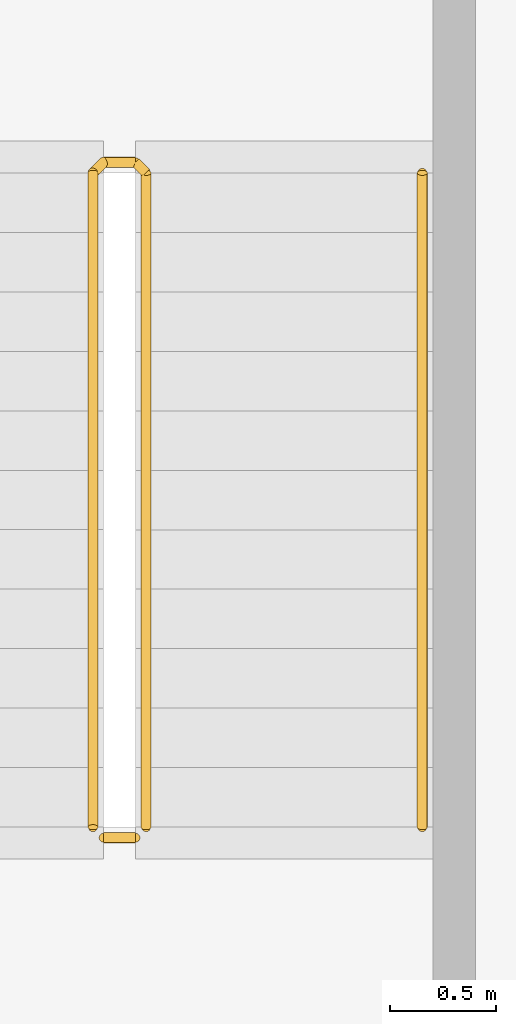
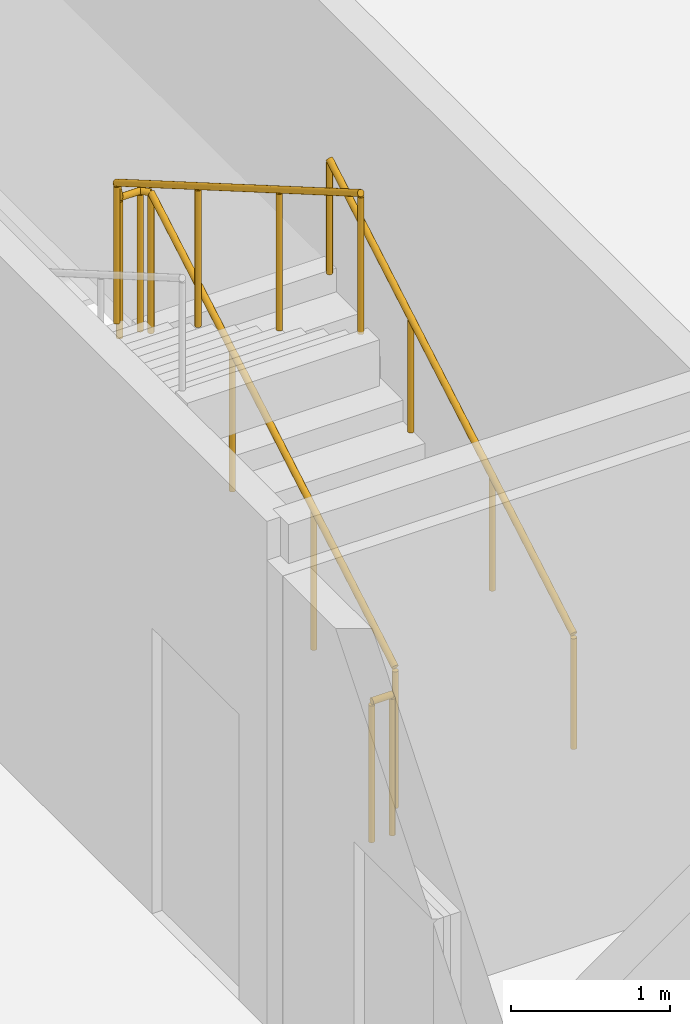
# One storey, part 18 of 19: 3 railings.
"""IFC4 building model written with IfcOpenShell, lengths in metres."""

from ifc_helpers import new_model, si_unit, direction, frame, origin, origin_2d, place, context, subcontext, project, spatial, circle, extrude, material, type_object, element, save


model = new_model("IFC4")

# Units and contexts
model_context = context("Model", 3, precision=1e-05, world=origin(), true_north=direction((0.0, 1.0)))
body_context = subcontext(model_context, "Body", "Model", "MODEL_VIEW")
ifc_project = project(units=[si_unit("LENGTHUNIT", "METRE"), si_unit("AREAUNIT", "SQUARE_METRE"), si_unit("VOLUMEUNIT", "CUBIC_METRE"), si_unit("PLANEANGLEUNIT", "RADIAN"), si_unit("MASSUNIT", "GRAM", prefix="KILO")], contexts=[model_context])

# Site, building, storey
site_placement = place(None, origin())
site = spatial("IfcSite", under=ifc_project, at=site_placement, CompositionType="ELEMENT")
building_placement = place(site_placement, origin())
building = spatial("IfcBuilding", under=site, at=building_placement, Name="Kheshtan School and Residences Tower", CompositionType="ELEMENT")
storey_placement = place(building_placement, frame((0.0, 0.0, 350.0)))
storey = spatial("IfcBuildingStorey", under=building, at=storey_placement, Name="L82", CompositionType="ELEMENT", Elevation=350.0)

# Railings
ifc_material_1 = material(Name="Stainless steel balustrade", Category="steel")
railing_type_1 = type_object("IfcRailingType", Name="Stair guard 1100", PredefinedType="GUARDRAIL", material=ifc_material_1)
railing_1_placement = place(storey_placement, frame((35.0, 80.89990234375, 0.16259765625)))
element("IfcRailing", 1, at=railing_1_placement, inside=storey, type_object=railing_type_1, Name="L82 ST3 stair guard 1", PredefinedType="GUARDRAIL", context=body_context, shape_type="SweptSolid", body=[
    extrude(circle(Radius=0.02392578125, at=origin_2d()), frame((0.0, 0.0, 1.076171875), z_axis=(0.0, 0.864920483161, 0.501908913857), x_axis=(-1.0, 0.0, 0.0)), (0.0, 0.0, 1.0), 3.56103515625),
    extrude(circle(Radius=0.02392578125, at=origin_2d()), frame((0.0, 3.080078125, 2.86328125), z_axis=(-0.707106781187, 0.707106781187, 0.0), x_axis=(-0.707106781187, -0.707106781187, 0.0)), (0.0, 0.0, 1.0), 0.07080078125),
    extrude(circle(Radius=0.02392578125, at=origin_2d()), frame((-0.050048828125, 3.130126953125, 2.86328125), z_axis=(-1.0, 0.0, 0.0), x_axis=(0.0, -1.0, 0.0)), (0.0, 0.0, 1.0), 0.14990234375),
    extrude(circle(Radius=0.02392578125, at=origin_2d()), frame((-0.199951171875, 3.130126953125, 2.86328125), z_axis=(-0.282227285176, -0.282227285176, 0.916894497205), x_axis=(0.707106781187, -0.707106781187, 0.0)), (0.0, 0.0, 1.0), 0.17724609375),
    extrude(circle(Radius=0.02392578125, at=origin_2d()), frame((-0.25, 3.080078125, 3.02587890625), z_axis=(0.0, -0.864920483161, 0.501908913857), x_axis=(1.0, 0.0, 0.0)), (0.0, 0.0, 1.0), 3.56103515625),
    extrude(circle(Radius=0.02099609375, at=origin_2d()), origin(), (0.0, 0.0, 1.0), 1.052001953125),
    extrude(circle(Radius=0.02099609375, at=origin_2d()), frame((0.0, 1.026611328125, 0.595703125)), (0.0, 0.0, 1.0), 1.052001953125),
    extrude(circle(Radius=0.02099609375, at=origin_2d()), frame((0.0, 2.053466796875, 1.191650390625)), (0.0, 0.0, 1.0), 1.052001953125),
    extrude(circle(Radius=0.02099609375, at=origin_2d()), frame((0.0, 3.080078125, 1.787353515625)), (0.0, 0.0, 1.0), 1.052001953125),
    extrude(circle(Radius=0.02099609375, at=origin_2d()), frame((-0.050048828125, 3.130126953125, 1.787353515625)), (0.0, 0.0, 1.0), 1.052001953125),
    extrude(circle(Radius=0.02099609375, at=origin_2d()), frame((-0.199951171875, 3.130126953125, 1.787353515625)), (0.0, 0.0, 1.0), 1.052001953125),
    extrude(circle(Radius=0.02099609375, at=origin_2d()), frame((-0.25, 3.080078125, 1.949951171875)), (0.0, 0.0, 1.0), 1.052001953125),
    extrude(circle(Radius=0.02099609375, at=origin_2d()), frame((-0.25, 2.053466796875, 2.545654296875)), (0.0, 0.0, 1.0), 1.052001953125),
    extrude(circle(Radius=0.02099609375, at=origin_2d()), frame((-0.25, 1.026611328125, 3.1416015625)), (0.0, 0.0, 1.0), 1.052001953125),
    extrude(circle(Radius=0.02099609375, at=origin_2d()), frame((-0.25, 0.0, 3.7373046875)), (0.0, 0.0, 1.0), 1.052001953125),
])
railing_2_placement = place(storey_placement, frame((34.949951171875, 80.85009765625, 0.0)))
element("IfcRailing", 2, at=railing_2_placement, inside=storey, type_object=railing_type_1, Name="L82 ST3 stair guard 2", PredefinedType="GUARDRAIL", context=body_context, shape_type="SweptSolid", body=[
    extrude(circle(Radius=0.02392578125, at=origin_2d()), frame((0.0, 0.0, 1.076171875), z_axis=(-1.0, 0.0, 0.0), x_axis=(0.0, -1.0, 0.0)), (0.0, 0.0, 1.0), 0.14990234375),
    extrude(circle(Radius=0.02099609375, at=origin_2d()), origin(), (0.0, 0.0, 1.0), 1.052001953125),
    extrude(circle(Radius=0.02099609375, at=origin_2d()), frame((-0.14990234375, 0.0, 0.0)), (0.0, 0.0, 1.0), 1.052001953125),
])
ifc_material_2 = material(Name="Stainless steel handrail", Category="steel")
railing_type_2 = type_object("IfcRailingType", Name="Stair handrail 900", PredefinedType="HANDRAIL", material=ifc_material_2)
railing_3_placement = place(storey_placement, frame((36.300048828125, 80.89990234375, 0.16259765625)))
element("IfcRailing", 3, at=railing_3_placement, inside=storey, type_object=railing_type_2, Name="L82 ST3 stair handrail 1", PredefinedType="HANDRAIL", context=body_context, shape_type="SweptSolid", body=[
    extrude(circle(Radius=0.02392578125, at=origin_2d()), frame((0.0, 0.0, 0.8759765625), z_axis=(0.0, 0.864920483161, 0.501908913857), x_axis=(-1.0, 0.0, 0.0)), (0.0, 0.0, 1.0), 3.56103515625),
    extrude(circle(Radius=0.02099609375, at=origin_2d()), origin(), (0.0, 0.0, 1.0), 0.851806640625),
    extrude(circle(Radius=0.02099609375, at=origin_2d()), frame((0.0, 1.026611328125, 0.595703125)), (0.0, 0.0, 1.0), 0.851806640625),
    extrude(circle(Radius=0.02099609375, at=origin_2d()), frame((0.0, 2.053466796875, 1.191650390625)), (0.0, 0.0, 1.0), 0.851806640625),
    extrude(circle(Radius=0.02099609375, at=origin_2d()), frame((0.0, 3.080078125, 1.787353515625)), (0.0, 0.0, 1.0), 0.851806640625),
])

save(model, "model.ifc")
